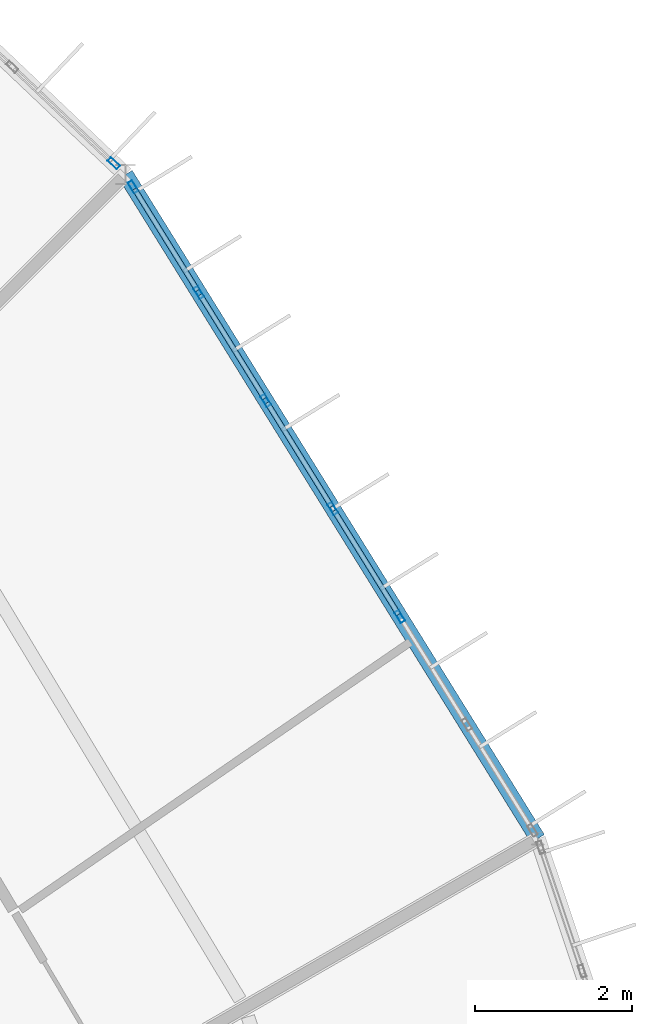
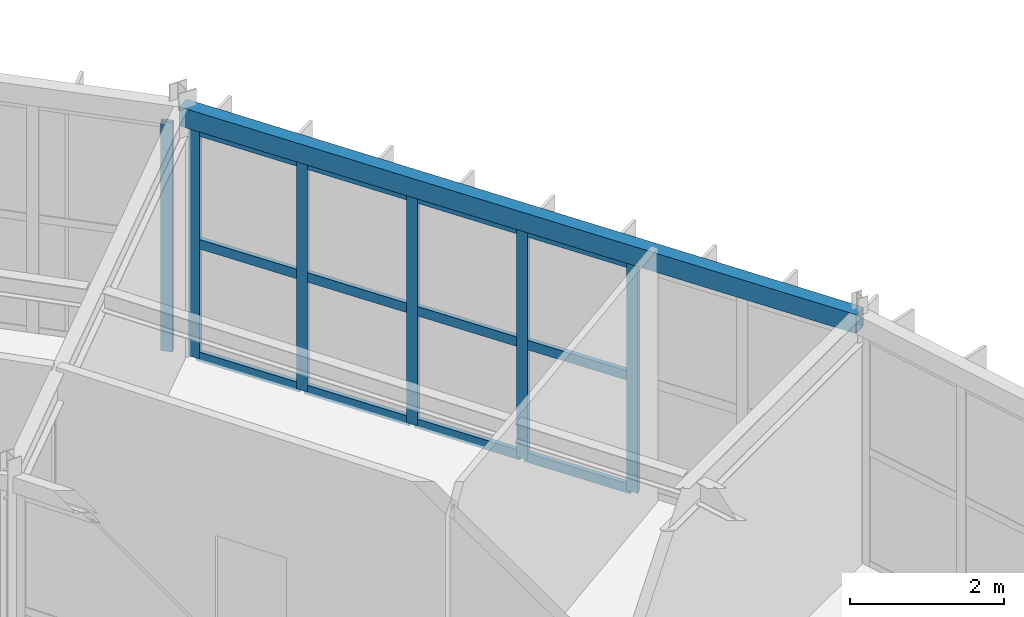
# One storey, part 76 of 130: 18 members, 1 beam, 2 elements without a shape of their own.
"""IFC4 building model written with IfcOpenShell, lengths in metres."""

from ifc_helpers import new_model, si_unit, direction, frame, origin, origin_2d, place, context, subcontext, project, spatial, hollow_rectangle, extrude, material, material_profile, profile_set, type_object, element, aggregate, save


model = new_model("IFC4")

# Units and contexts
model_context = context("Model", 3, precision=1e-05, world=origin(), true_north=direction((0.0, 1.0)))
body_context = subcontext(model_context, "Body", "Model", "MODEL_VIEW")
ifc_project = project(units=[si_unit("LENGTHUNIT", "METRE"), si_unit("AREAUNIT", "SQUARE_METRE"), si_unit("VOLUMEUNIT", "CUBIC_METRE"), si_unit("PLANEANGLEUNIT", "RADIAN"), si_unit("MASSUNIT", "GRAM", prefix="KILO")], contexts=[model_context])

# Site, building, storey
site_placement = place(None, origin())
site = spatial("IfcSite", under=ifc_project, at=site_placement, CompositionType="ELEMENT")
building_placement = place(site_placement, origin())
building = spatial("IfcBuilding", under=site, at=building_placement, Name="Karori Crest Natural Sciences Institute", CompositionType="ELEMENT")
storey_placement = place(building_placement, frame((0.0, 0.0, 17.5)))
storey = spatial("IfcBuildingStorey", under=building, at=storey_placement, Name="L04", CompositionType="ELEMENT", Elevation=17.5)

# Beam
ifc_material_1 = material(Name="Hollow structural steel AS/NZS 1163 Grade C350", Category="steel")
ifc_material_profile_1 = material_profile(ifc_material_1, hollow_rectangle(XDim=0.199951171875, YDim=0.300048828125, WallThickness=0.010009765625, at=origin_2d()), Name="RHS300x200x10")
ifc_profile_set_1 = profile_set([ifc_material_profile_1], Name="Hollow structural steel AS/NZS 1163 Grade C350")
beam_type = type_object("IfcBeamType", Name="BT-15", PredefinedType="SPANDREL", material=ifc_profile_set_1)
beam_placement = place(storey_placement, frame((94.978759765625, 70.300048828125, 3.7900390625), z_axis=(-0.527315195609, 0.849669750244, 0.0), x_axis=(-0.849669750244, -0.527315195609, 0.0)))
element("IfcBeam", 1, at=beam_placement, inside=storey, type_object=beam_type, Name="Beam B-0457", PredefinedType="SPANDREL", context=body_context, shape_type="SweptSolid", body=[
    extrude(hollow_rectangle(XDim=0.199951171875, YDim=0.300048828125, WallThickness=0.010009765625, at=origin_2d()), origin(), (0.0, 0.0, 1.0), 9.945068359375),
])

# Curtain wall, members
ifc_material_2 = material(Name="Anodised architectural aluminium 6063-T6", Category="aluminium")
curtain_wall_type_1 = type_object("IfcCurtainWallType", Name="CWT-03", PredefinedType="NOTDEFINED", material=ifc_material_2)
curtain_wall_1_placement = place(storey_placement, origin())
curtain_wall_1 = element("IfcCurtainWall", 2, at=curtain_wall_1_placement, inside=storey, type_object=curtain_wall_type_1, Name="Curtain wall CW-0139", PredefinedType="NOTDEFINED")
ifc_material_profile_2 = material_profile(ifc_material_2, hollow_rectangle(XDim=0.06494140625, YDim=0.159912109375, WallThickness=0.00390625, at=origin_2d()), Name="CWM160x65x4")
ifc_profile_set_2 = profile_set([ifc_material_profile_2], Name="Anodised architectural aluminium 6063-T6")
member_type_1 = type_object("IfcMemberType", Name="CWM-01", PredefinedType="MULLION", material=ifc_profile_set_2)
member_1_placement = place(storey_placement, frame((89.831298828125, 78.593994140625, 0.0), z_axis=(0.0, 0.0, 1.0), x_axis=(0.849661985715, 0.527327706489, 0.0)))
member_1 = element("IfcMember", 3, at=member_1_placement, type_object=member_type_1, Name="CW-0139 mullion 1", PredefinedType="MULLION", context=body_context, shape_type="SweptSolid", body=[
    extrude(hollow_rectangle(XDim=0.06494140625, YDim=0.159912109375, WallThickness=0.00390625, at=origin_2d()), origin(), (0.0, 0.0, 1.0), 3.625),
])
member_2_placement = place(storey_placement, frame((90.666748046875, 77.248046875, 0.0), z_axis=(0.0, 0.0, 1.0), x_axis=(0.849661985715, 0.527327706489, 0.0)))
member_2 = element("IfcMember", 4, at=member_2_placement, type_object=member_type_1, Name="CW-0139 mullion 2", PredefinedType="MULLION", context=body_context, shape_type="SweptSolid", body=[
    extrude(hollow_rectangle(XDim=0.06494140625, YDim=0.159912109375, WallThickness=0.00390625, at=origin_2d()), origin(), (0.0, 0.0, 1.0), 3.625),
])
member_3_placement = place(storey_placement, frame((91.519287109375, 75.874267578125, 0.0), z_axis=(0.0, 0.0, 1.0), x_axis=(0.849661985715, 0.527327706489, 0.0)))
member_3 = element("IfcMember", 5, at=member_3_placement, type_object=member_type_1, Name="CW-0139 mullion 3", PredefinedType="MULLION", context=body_context, shape_type="SweptSolid", body=[
    extrude(hollow_rectangle(XDim=0.06494140625, YDim=0.159912109375, WallThickness=0.00390625, at=origin_2d()), origin(), (0.0, 0.0, 1.0), 3.625),
])
member_4_placement = place(storey_placement, frame((92.371826171875, 74.50048828125, 0.0), z_axis=(0.0, 0.0, 1.0), x_axis=(0.849661985715, 0.527327706489, 0.0)))
member_4 = element("IfcMember", 6, at=member_4_placement, type_object=member_type_1, Name="CW-0139 mullion 4", PredefinedType="MULLION", context=body_context, shape_type="SweptSolid", body=[
    extrude(hollow_rectangle(XDim=0.06494140625, YDim=0.159912109375, WallThickness=0.00390625, at=origin_2d()), origin(), (0.0, 0.0, 1.0), 3.625),
])
member_5_placement = place(storey_placement, frame((93.224365234375, 73.126708984375, 0.0), z_axis=(0.0, 0.0, 1.0), x_axis=(0.849661985715, 0.527327706489, 0.0)))
member_5 = element("IfcMember", 7, at=member_5_placement, type_object=member_type_1, Name="CW-0139 mullion 5", PredefinedType="MULLION", context=body_context, shape_type="SweptSolid", body=[
    extrude(hollow_rectangle(XDim=0.06494140625, YDim=0.159912109375, WallThickness=0.00390625, at=origin_2d()), origin(), (0.0, 0.0, 1.0), 3.625),
])

# Curtain wall, member
curtain_wall_type_2 = type_object("IfcCurtainWallType", Name="CWT-04", PredefinedType="NOTDEFINED", material=ifc_material_2)
curtain_wall_2_placement = place(storey_placement, origin())
curtain_wall_2 = element("IfcCurtainWall", 8, at=curtain_wall_2_placement, inside=storey, type_object=curtain_wall_type_2, Name="Curtain wall CW-0141", PredefinedType="NOTDEFINED")
member_6_placement = place(storey_placement, frame((89.58447265625, 78.892333984375, 0.0), z_axis=(0.0, 0.0, 1.0), x_axis=(0.688252251648, 0.725471459192, 0.0)))
member_6 = element("IfcMember", 9, at=member_6_placement, type_object=member_type_1, Name="CW-0141 mullion 6", PredefinedType="MULLION", context=body_context, shape_type="SweptSolid", body=[
    extrude(hollow_rectangle(XDim=0.06494140625, YDim=0.159912109375, WallThickness=0.00390625, at=origin_2d()), origin(), (0.0, 0.0, 1.0), 3.625),
])
aggregate(curtain_wall_2, [member_6])

# Member
ifc_material_profile_3 = material_profile(ifc_material_2, hollow_rectangle(XDim=0.06494140625, YDim=0.14990234375, WallThickness=0.00390625, at=origin_2d()), Name="CWT150x65x4")
ifc_profile_set_3 = profile_set([ifc_material_profile_3], Name="Anodised architectural aluminium 6063-T6")
member_type_2 = type_object("IfcMemberType", Name="CWT-TR2", PredefinedType="USERDEFINED", material=ifc_profile_set_3)
member_7_placement = place(storey_placement, frame((89.848388671875, 78.56640625, 0.032470703125), z_axis=(0.527410863432, -0.84961037019, 0.0), x_axis=(0.84961037019, 0.527410863432, 0.0)))
member_7 = element("IfcMember", 10, at=member_7_placement, type_object=member_type_2, Name="CW-0139 transom 1.1", ObjectType="TRANSOM", PredefinedType="USERDEFINED", context=body_context, shape_type="SweptSolid", body=[
    extrude(hollow_rectangle(XDim=0.06494140625, YDim=0.14990234375, WallThickness=0.00390625, at=origin_2d()), origin(), (0.0, 0.0, 1.0), 1.519287109375),
])

member_8_placement = place(storey_placement, frame((89.848388671875, 78.56640625, 1.8125), z_axis=(0.527410863432, -0.84961037019, 0.0), x_axis=(0.84961037019, 0.527410863432, 0.0)))
member_8 = element("IfcMember", 11, at=member_8_placement, type_object=member_type_2, Name="CW-0139 transom 1.2", ObjectType="TRANSOM", PredefinedType="USERDEFINED", context=body_context, shape_type="SweptSolid", body=[
    extrude(hollow_rectangle(XDim=0.06494140625, YDim=0.14990234375, WallThickness=0.00390625, at=origin_2d()), origin(), (0.0, 0.0, 1.0), 1.519287109375),
])

member_9_placement = place(storey_placement, frame((89.848388671875, 78.56640625, 3.592529296875), z_axis=(0.527410863432, -0.84961037019, 0.0), x_axis=(0.84961037019, 0.527410863432, 0.0)))
member_9 = element("IfcMember", 12, at=member_9_placement, type_object=member_type_2, Name="CW-0139 transom 1.3", ObjectType="TRANSOM", PredefinedType="USERDEFINED", context=body_context, shape_type="SweptSolid", body=[
    extrude(hollow_rectangle(XDim=0.06494140625, YDim=0.14990234375, WallThickness=0.00390625, at=origin_2d()), origin(), (0.0, 0.0, 1.0), 1.519287109375),
])

member_10_placement = place(storey_placement, frame((90.683837890625, 77.220458984375, 0.032470703125), z_axis=(0.527323700977, -0.849664471652, 0.0), x_axis=(0.849664471652, 0.527323700977, 0.0)))
member_10 = element("IfcMember", 13, at=member_10_placement, type_object=member_type_2, Name="CW-0139 transom 2.1", ObjectType="TRANSOM", PredefinedType="USERDEFINED", context=body_context, shape_type="SweptSolid", body=[
    extrude(hollow_rectangle(XDim=0.06494140625, YDim=0.14990234375, WallThickness=0.00390625, at=origin_2d()), origin(), (0.0, 0.0, 1.0), 1.552001953125),
])

member_11_placement = place(storey_placement, frame((90.683837890625, 77.220458984375, 1.8125), z_axis=(0.527323700977, -0.849664471652, 0.0), x_axis=(0.849664471652, 0.527323700977, 0.0)))
member_11 = element("IfcMember", 14, at=member_11_placement, type_object=member_type_2, Name="CW-0139 transom 2.2", ObjectType="TRANSOM", PredefinedType="USERDEFINED", context=body_context, shape_type="SweptSolid", body=[
    extrude(hollow_rectangle(XDim=0.06494140625, YDim=0.14990234375, WallThickness=0.00390625, at=origin_2d()), origin(), (0.0, 0.0, 1.0), 1.552001953125),
])

member_12_placement = place(storey_placement, frame((90.683837890625, 77.220458984375, 3.592529296875), z_axis=(0.527323700977, -0.849664471652, 0.0), x_axis=(0.849664471652, 0.527323700977, 0.0)))
member_12 = element("IfcMember", 15, at=member_12_placement, type_object=member_type_2, Name="CW-0139 transom 2.3", ObjectType="TRANSOM", PredefinedType="USERDEFINED", context=body_context, shape_type="SweptSolid", body=[
    extrude(hollow_rectangle(XDim=0.06494140625, YDim=0.14990234375, WallThickness=0.00390625, at=origin_2d()), origin(), (0.0, 0.0, 1.0), 1.552001953125),
])

member_13_placement = place(storey_placement, frame((91.536376953125, 75.8466796875, 0.032470703125), z_axis=(0.527323700977, -0.849664471652, 0.0), x_axis=(0.849664471652, 0.527323700977, 0.0)))
member_13 = element("IfcMember", 16, at=member_13_placement, type_object=member_type_2, Name="CW-0139 transom 3.1", ObjectType="TRANSOM", PredefinedType="USERDEFINED", context=body_context, shape_type="SweptSolid", body=[
    extrude(hollow_rectangle(XDim=0.06494140625, YDim=0.14990234375, WallThickness=0.00390625, at=origin_2d()), origin(), (0.0, 0.0, 1.0), 1.552001953125),
])

member_14_placement = place(storey_placement, frame((91.536376953125, 75.8466796875, 1.8125), z_axis=(0.527323700977, -0.849664471652, 0.0), x_axis=(0.849664471652, 0.527323700977, 0.0)))
member_14 = element("IfcMember", 17, at=member_14_placement, type_object=member_type_2, Name="CW-0139 transom 3.2", ObjectType="TRANSOM", PredefinedType="USERDEFINED", context=body_context, shape_type="SweptSolid", body=[
    extrude(hollow_rectangle(XDim=0.06494140625, YDim=0.14990234375, WallThickness=0.00390625, at=origin_2d()), origin(), (0.0, 0.0, 1.0), 1.552001953125),
])

member_15_placement = place(storey_placement, frame((91.536376953125, 75.8466796875, 3.592529296875), z_axis=(0.527323700977, -0.849664471652, 0.0), x_axis=(0.849664471652, 0.527323700977, 0.0)))
member_15 = element("IfcMember", 18, at=member_15_placement, type_object=member_type_2, Name="CW-0139 transom 3.3", ObjectType="TRANSOM", PredefinedType="USERDEFINED", context=body_context, shape_type="SweptSolid", body=[
    extrude(hollow_rectangle(XDim=0.06494140625, YDim=0.14990234375, WallThickness=0.00390625, at=origin_2d()), origin(), (0.0, 0.0, 1.0), 1.552001953125),
])

member_16_placement = place(storey_placement, frame((92.388916015625, 74.472900390625, 0.032470703125), z_axis=(0.527323700977, -0.849664471652, 0.0), x_axis=(0.849664471652, 0.527323700977, 0.0)))
member_16 = element("IfcMember", 19, at=member_16_placement, type_object=member_type_2, Name="CW-0139 transom 4.1", ObjectType="TRANSOM", PredefinedType="USERDEFINED", context=body_context, shape_type="SweptSolid", body=[
    extrude(hollow_rectangle(XDim=0.06494140625, YDim=0.14990234375, WallThickness=0.00390625, at=origin_2d()), origin(), (0.0, 0.0, 1.0), 1.552001953125),
])

member_17_placement = place(storey_placement, frame((92.388916015625, 74.472900390625, 1.8125), z_axis=(0.527323700977, -0.849664471652, 0.0), x_axis=(0.849664471652, 0.527323700977, 0.0)))
member_17 = element("IfcMember", 20, at=member_17_placement, type_object=member_type_2, Name="CW-0139 transom 4.2", ObjectType="TRANSOM", PredefinedType="USERDEFINED", context=body_context, shape_type="SweptSolid", body=[
    extrude(hollow_rectangle(XDim=0.06494140625, YDim=0.14990234375, WallThickness=0.00390625, at=origin_2d()), origin(), (0.0, 0.0, 1.0), 1.552001953125),
])

member_18_placement = place(storey_placement, frame((92.388916015625, 74.472900390625, 3.592529296875), z_axis=(0.527323700977, -0.849664471652, 0.0), x_axis=(0.849664471652, 0.527323700977, 0.0)))
member_18 = element("IfcMember", 21, at=member_18_placement, type_object=member_type_2, Name="CW-0139 transom 4.3", ObjectType="TRANSOM", PredefinedType="USERDEFINED", context=body_context, shape_type="SweptSolid", body=[
    extrude(hollow_rectangle(XDim=0.06494140625, YDim=0.14990234375, WallThickness=0.00390625, at=origin_2d()), origin(), (0.0, 0.0, 1.0), 1.552001953125),
])

aggregate(curtain_wall_1, [member_1, member_2, member_3, member_4, member_5, member_7, member_8, member_9, member_10, member_11, member_12, member_13, member_14, member_15, member_16, member_17, member_18])

save(model, "model.ifc")
